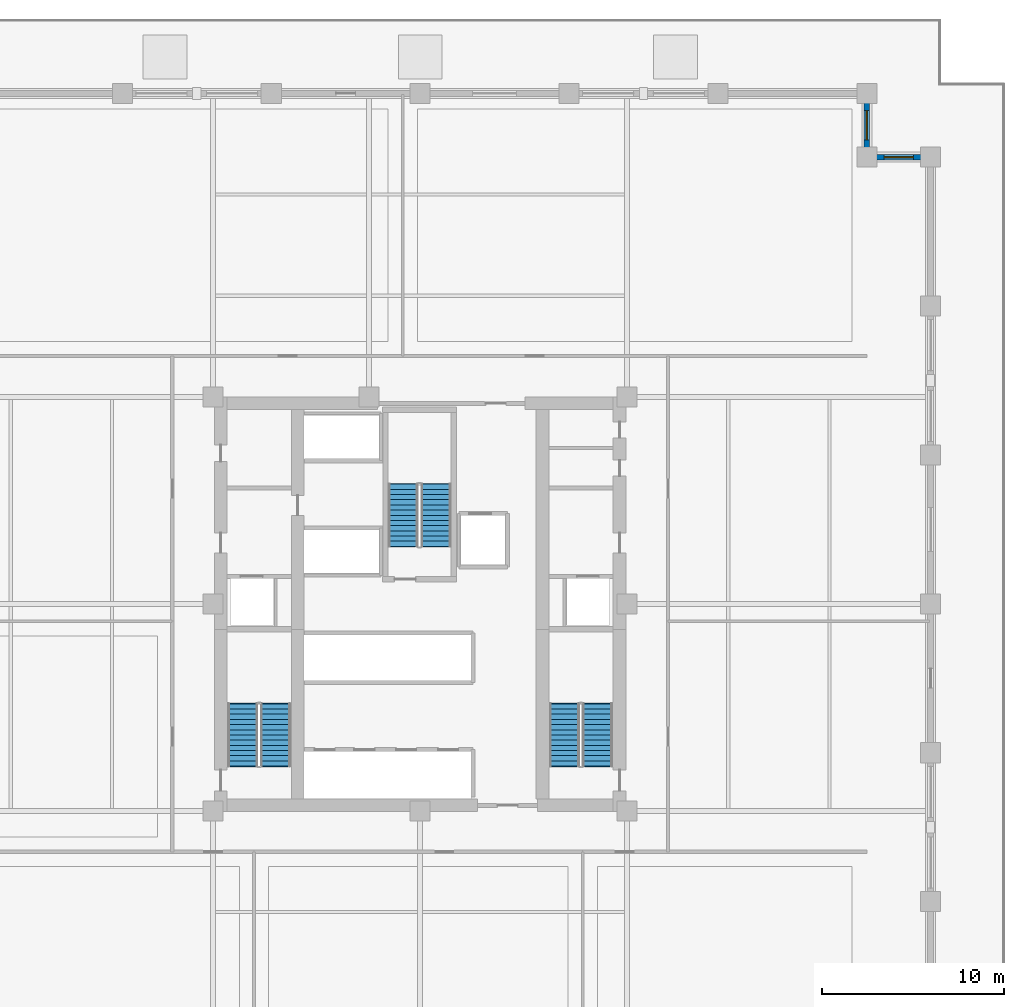
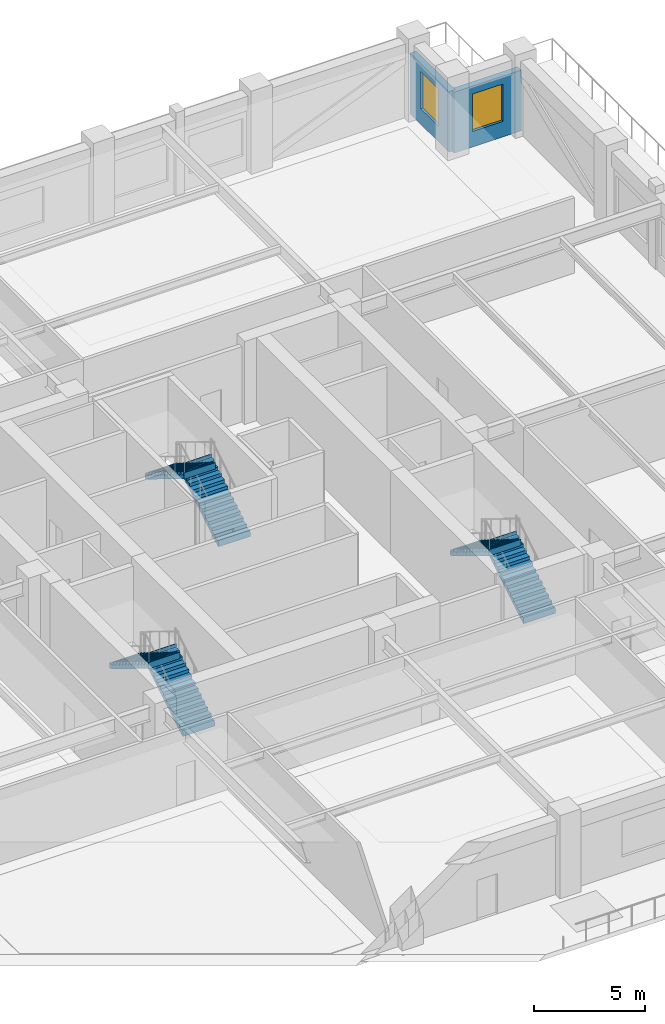
# One storey, part 6 of 13: 6 stair flights, 2 walls, 2 windows, 2 openings, 3 elements without a shape of their own.
"""IFC4 building model written with IfcOpenShell, lengths in metres."""

from ifc_helpers import new_model, si_unit, direction, frame, frame_2d, origin, place, context, subcontext, project, spatial, polyline, rectangle, outline, extrude, material, layer, layer_set, type_object, element, fill, aggregate, save


model = new_model("IFC4")

# Units and contexts
model_context = context("Model", 3, precision=1e-05, world=origin(), true_north=direction((0.0, 1.0)))
body_context = subcontext(model_context, "Body", "Model", "MODEL_VIEW")
ifc_project = project(units=[si_unit("LENGTHUNIT", "METRE"), si_unit("AREAUNIT", "SQUARE_METRE"), si_unit("VOLUMEUNIT", "CUBIC_METRE"), si_unit("PLANEANGLEUNIT", "RADIAN"), si_unit("MASSUNIT", "GRAM", prefix="KILO")], contexts=[model_context])

# Site, building, storey
site_placement = place(None, origin())
site = spatial("IfcSite", under=ifc_project, at=site_placement, CompositionType="ELEMENT")
building_placement = place(site_placement, origin())
building = spatial("IfcBuilding", under=site, at=building_placement, Name="Nhamokura Convention Tower", CompositionType="ELEMENT")
storey_placement = place(building_placement, frame((0.0, 0.0, 34.300048828125)))
storey = spatial("IfcBuildingStorey", under=building, at=storey_placement, Name="L06", CompositionType="ELEMENT", Elevation=34.300048828125)

# Wall, opening, window
ifc_material_1 = material(Name="Bronze-pigmented precast concrete C45/55", Category="concrete")
ifc_layer = layer(ifc_material_1, 0.320068359375)
ifc_layer_set = layer_set([ifc_layer], Name="BronzePrecastSpandrel_320")
wall_type = type_object("IfcWallType", Name="BronzePrecastSpandrel_320", PredefinedType="USERDEFINED", material=ifc_layer_set)
wall_1_placement = place(storey_placement, frame((56.5, 56.5, 0.0), z_axis=(0.0, 0.0, 1.0), x_axis=(1.0, 0.0, 0.0)))
wall_1 = element("IfcWall", 1, at=wall_1_placement, inside=storey, type_object=wall_type, Name="L06 Notched Corner Wall NE1", ObjectType="SPANDREL_WALL", PredefinedType="USERDEFINED", context=body_context, shape_type="SweptSolid", body=[
    extrude(rectangle(XDim=3.5, YDim=0.320068359375, at=frame_2d((1.75, 0.0))), origin(), (0.0, 0.0, 1.0), 3.329833984375),
])
opening_1_placement = place(wall_1_placement, frame((0.949951171875, 0.0, 0.85009765625)))
opening_1 = element("IfcOpeningElement", 2, at=opening_1_placement, cuts=wall_1, Name="Opening W-11", PredefinedType="OPENING", context=body_context, shape_type="SweptSolid", body=[
    extrude(rectangle(XDim=1.60009765625, YDim=2.050048828125, at=frame_2d((0.800048828125, 1.02490234375))), frame((0.0, 0.169921875, 0.0), z_axis=(0.0, -1.0, 0.0), x_axis=(1.0, 0.0, 0.0)), (0.0, 0.0, 1.0), 0.340087890625),
])
ifc_material_2 = material(Name="Solar-control bronze low-E double glass", Category="glass")
window_type = type_object("IfcWindowType", Name="NotchCornerWindow_1600", PartitioningType="SINGLE_PANEL", PredefinedType="WINDOW", material=ifc_material_2)
window_1_placement = place(opening_1_placement, origin())
window_1 = element("IfcWindow", 3, at=window_1_placement, inside=storey, type_object=window_type, Name="L06 Notched Corner Window NE1", OverallHeight=2.050048828125, OverallWidth=1.60009765625, PartitioningType="SINGLE_PANEL", PredefinedType="WINDOW", context=body_context, shape_type="SweptSolid", body=[
    extrude(rectangle(XDim=1.60009765625, YDim=2.050048828125, at=frame_2d((0.800048828125, 1.02490234375))), frame((0.0, 0.030029296875, 0.0), z_axis=(0.0, -1.0, 0.0), x_axis=(1.0, 0.0, 0.0)), (0.0, 0.0, 1.0), 0.06005859375),
])
fill(opening_1, window_1)

wall_2_placement = place(storey_placement, frame((56.5, 60.0, 0.0), z_axis=(0.0, 0.0, 1.0), x_axis=(0.0, -1.0, 0.0)))
wall_2 = element("IfcWall", 4, at=wall_2_placement, inside=storey, type_object=wall_type, Name="L06 Notched Corner Wall NE2", ObjectType="SPANDREL_WALL", PredefinedType="USERDEFINED", context=body_context, shape_type="SweptSolid", body=[
    extrude(rectangle(XDim=3.5, YDim=0.320068359375, at=frame_2d((1.75, 0.0))), origin(), (0.0, 0.0, 1.0), 3.329833984375),
])
opening_2_placement = place(wall_2_placement, frame((0.949951171875, 0.0, 0.85009765625)))
opening_2 = element("IfcOpeningElement", 5, at=opening_2_placement, cuts=wall_2, Name="Opening W-11", PredefinedType="OPENING", context=body_context, shape_type="SweptSolid", body=[
    extrude(rectangle(XDim=1.60009765625, YDim=2.050048828125, at=frame_2d((0.800048828125, 1.02490234375))), frame((0.0, 0.169921875, 0.0), z_axis=(0.0, -1.0, 0.0), x_axis=(1.0, 0.0, 0.0)), (0.0, 0.0, 1.0), 0.340087890625),
])
window_2_placement = place(opening_2_placement, origin())
window_2 = element("IfcWindow", 6, at=window_2_placement, inside=storey, type_object=window_type, Name="L06 Notched Corner Window NE2", OverallHeight=2.050048828125, OverallWidth=1.60009765625, PartitioningType="SINGLE_PANEL", PredefinedType="WINDOW", context=body_context, shape_type="SweptSolid", body=[
    extrude(rectangle(XDim=1.60009765625, YDim=2.050048828125, at=frame_2d((0.800048828125, 1.02490234375))), frame((0.0, 0.030029296875, 0.0), z_axis=(0.0, -1.0, 0.0), x_axis=(1.0, 0.0, 0.0)), (0.0, 0.0, 1.0), 0.06005859375),
])
fill(opening_2, window_2)

# Stair, stair flights
ifc_material_3 = material(Name="Concrete C40/50", Category="concrete")
stair_type = type_object("IfcStairType", Name="TowerCoreStair_1650", PredefinedType="HALF_TURN_STAIR", material=ifc_material_3)
stair_1_placement = place(storey_placement, origin())
stair_1 = element("IfcStair", 7, at=stair_1_placement, inside=storey, type_object=stair_type, Name="L06 West Core Smokeproof Stair ST-01", PredefinedType="HALF_TURN_STAIR")
ifc_material_4 = material(Name="Concrete C40/50", Category="concrete")
stair_flight_type = type_object("IfcStairFlightType", Name="TowerCoreStair_1650_Flight", PredefinedType="STRAIGHT", material=ifc_material_4)
stair_flight_1_placement = place(storey_placement, frame((24.074951171875, 23.10009765625, 0.0), z_axis=(0.0, 0.0, 1.0), x_axis=(0.0, 1.0, 0.0)))
stair_flight_1 = element("IfcStairFlight", 8, at=stair_flight_1_placement, type_object=stair_flight_type, Name="ST-01 flight 1", NumberOfRisers=13, NumberOfTreads=12, PredefinedType="STRAIGHT", RiserHeight=0.175, TreadLength=0.285, context=body_context, shape_type="SweptSolid", body=[
    extrude(outline(polyline([(-0.0419921875, 0.0), (0.0, 0.175048828125), (0.284912109375, 0.175048828125), (0.284912109375, 0.35009765625), (0.570068359375, 0.35009765625), (0.570068359375, 0.52490234375), (0.85498046875, 0.52490234375), (0.85498046875, 0.699951171875), (1.139892578125, 0.699951171875), (1.139892578125, 0.875), (1.425048828125, 0.875), (1.425048828125, 1.050048828125), (1.7099609375, 1.050048828125), (1.7099609375, 1.22509765625), (1.9951171875, 1.22509765625), (1.9951171875, 1.39990234375), (2.280029296875, 1.39990234375), (2.280029296875, 1.574951171875), (2.56494140625, 1.574951171875), (2.56494140625, 1.75), (2.85009765625, 1.75), (2.85009765625, 1.925048828125), (3.135009765625, 1.925048828125), (3.135009765625, 2.10009765625), (3.419921875, 2.10009765625), (3.419921875, 2.27490234375), (3.4619140625, 2.27490234375), (3.4619140625, 1.924072265625), (3.419921875, 1.924072265625), (0.286376953125, 0.0), (0.02001953125, -0.1298828125), (-0.0419921875, -0.1298828125), (-0.0419921875, 0.0)])), frame((0.0, 0.824951171875, 0.0), z_axis=(0.0, -1.0, 0.0), x_axis=(1.0, 0.0, 0.0)), (0.0, 0.0, 1.0), 1.64990234375),
])
stair_flight_2_placement = place(storey_placement, frame((22.27490234375, 26.52001953125, 2.27490234375), z_axis=(0.0, 0.0, 1.0), x_axis=(0.0, -1.0, 0.0)))
stair_flight_2 = element("IfcStairFlight", 9, at=stair_flight_2_placement, type_object=stair_flight_type, Name="ST-01 flight 2", NumberOfRisers=13, NumberOfTreads=12, PredefinedType="STRAIGHT", RiserHeight=0.175, TreadLength=0.285, context=body_context, shape_type="SweptSolid", body=[
    extrude(outline(polyline([(-0.0419921875, 0.0), (0.0, 0.175048828125), (0.284912109375, 0.175048828125), (0.284912109375, 0.35009765625), (0.570068359375, 0.35009765625), (0.570068359375, 0.52490234375), (0.85498046875, 0.52490234375), (0.85498046875, 0.699951171875), (1.139892578125, 0.699951171875), (1.139892578125, 0.875), (1.425048828125, 0.875), (1.425048828125, 1.050048828125), (1.7099609375, 1.050048828125), (1.7099609375, 1.22509765625), (1.9951171875, 1.22509765625), (1.9951171875, 1.39990234375), (2.280029296875, 1.39990234375), (2.280029296875, 1.574951171875), (2.56494140625, 1.574951171875), (2.56494140625, 1.75), (2.85009765625, 1.75), (2.85009765625, 1.925048828125), (3.135009765625, 1.925048828125), (3.135009765625, 2.10009765625), (3.419921875, 2.10009765625), (3.419921875, 2.27490234375), (3.4619140625, 2.27490234375), (3.4619140625, 1.924072265625), (3.419921875, 1.924072265625), (0.286376953125, 0.0), (0.02001953125, -0.1298828125), (-0.0419921875, -0.1298828125), (-0.0419921875, 0.0)])), frame((0.0, 0.824951171875, 0.0), z_axis=(0.0, -1.0, 0.0), x_axis=(1.0, 0.0, 0.0)), (0.0, 0.0, 1.0), 1.64990234375),
])
aggregate(stair_1, [stair_flight_1, stair_flight_2])

stair_2_placement = place(storey_placement, origin())
stair_2 = element("IfcStair", 10, at=stair_2_placement, inside=storey, type_object=stair_type, Name="L06 East Core Smokeproof Stair ST-02", PredefinedType="HALF_TURN_STAIR")
stair_flight_3_placement = place(storey_placement, frame((41.72509765625, 23.10009765625, 0.0), z_axis=(0.0, 0.0, 1.0), x_axis=(0.0, 1.0, 0.0)))
stair_flight_3 = element("IfcStairFlight", 11, at=stair_flight_3_placement, type_object=stair_flight_type, Name="ST-02 flight 1", NumberOfRisers=13, NumberOfTreads=12, PredefinedType="STRAIGHT", RiserHeight=0.175, TreadLength=0.285, context=body_context, shape_type="SweptSolid", body=[
    extrude(outline(polyline([(-0.0419921875, 0.0), (0.0, 0.175048828125), (0.284912109375, 0.175048828125), (0.284912109375, 0.35009765625), (0.570068359375, 0.35009765625), (0.570068359375, 0.52490234375), (0.85498046875, 0.52490234375), (0.85498046875, 0.699951171875), (1.139892578125, 0.699951171875), (1.139892578125, 0.875), (1.425048828125, 0.875), (1.425048828125, 1.050048828125), (1.7099609375, 1.050048828125), (1.7099609375, 1.22509765625), (1.9951171875, 1.22509765625), (1.9951171875, 1.39990234375), (2.280029296875, 1.39990234375), (2.280029296875, 1.574951171875), (2.56494140625, 1.574951171875), (2.56494140625, 1.75), (2.85009765625, 1.75), (2.85009765625, 1.925048828125), (3.135009765625, 1.925048828125), (3.135009765625, 2.10009765625), (3.419921875, 2.10009765625), (3.419921875, 2.27490234375), (3.4619140625, 2.27490234375), (3.4619140625, 1.924072265625), (3.419921875, 1.924072265625), (0.286376953125, 0.0), (0.02001953125, -0.1298828125), (-0.0419921875, -0.1298828125), (-0.0419921875, 0.0)])), frame((0.0, 0.824951171875, 0.0), z_axis=(0.0, -1.0, 0.0), x_axis=(1.0, 0.0, 0.0)), (0.0, 0.0, 1.0), 1.64990234375),
])
stair_flight_4_placement = place(storey_placement, frame((39.925048828125, 26.52001953125, 2.27490234375), z_axis=(0.0, 0.0, 1.0), x_axis=(0.0, -1.0, 0.0)))
stair_flight_4 = element("IfcStairFlight", 12, at=stair_flight_4_placement, type_object=stair_flight_type, Name="ST-02 flight 2", NumberOfRisers=13, NumberOfTreads=12, PredefinedType="STRAIGHT", RiserHeight=0.175, TreadLength=0.285, context=body_context, shape_type="SweptSolid", body=[
    extrude(outline(polyline([(-0.0419921875, 0.0), (0.0, 0.175048828125), (0.284912109375, 0.175048828125), (0.284912109375, 0.35009765625), (0.570068359375, 0.35009765625), (0.570068359375, 0.52490234375), (0.85498046875, 0.52490234375), (0.85498046875, 0.699951171875), (1.139892578125, 0.699951171875), (1.139892578125, 0.875), (1.425048828125, 0.875), (1.425048828125, 1.050048828125), (1.7099609375, 1.050048828125), (1.7099609375, 1.22509765625), (1.9951171875, 1.22509765625), (1.9951171875, 1.39990234375), (2.280029296875, 1.39990234375), (2.280029296875, 1.574951171875), (2.56494140625, 1.574951171875), (2.56494140625, 1.75), (2.85009765625, 1.75), (2.85009765625, 1.925048828125), (3.135009765625, 1.925048828125), (3.135009765625, 2.10009765625), (3.419921875, 2.10009765625), (3.419921875, 2.27490234375), (3.4619140625, 2.27490234375), (3.4619140625, 1.924072265625), (3.419921875, 1.924072265625), (0.286376953125, 0.0), (0.02001953125, -0.1298828125), (-0.0419921875, -0.1298828125), (-0.0419921875, 0.0)])), frame((0.0, 0.824951171875, 0.0), z_axis=(0.0, -1.0, 0.0), x_axis=(1.0, 0.0, 0.0)), (0.0, 0.0, 1.0), 1.64990234375),
])
aggregate(stair_2, [stair_flight_3, stair_flight_4])

stair_3_placement = place(storey_placement, origin())
stair_3 = element("IfcStair", 13, at=stair_3_placement, inside=storey, type_object=stair_type, Name="L06 North Core Smokeproof Stair ST-03", PredefinedType="HALF_TURN_STAIR")
stair_flight_5_placement = place(storey_placement, frame((32.875, 35.14990234375, 0.0), z_axis=(0.0, 0.0, 1.0), x_axis=(0.0, 1.0, 0.0)))
stair_flight_5 = element("IfcStairFlight", 14, at=stair_flight_5_placement, type_object=stair_flight_type, Name="ST-03 flight 1", NumberOfRisers=13, NumberOfTreads=12, PredefinedType="STRAIGHT", RiserHeight=0.175, TreadLength=0.285, context=body_context, shape_type="SweptSolid", body=[
    extrude(outline(polyline([(-0.0419921875, 0.0), (0.0, 0.175048828125), (0.284912109375, 0.175048828125), (0.284912109375, 0.35009765625), (0.570068359375, 0.35009765625), (0.570068359375, 0.52490234375), (0.85498046875, 0.52490234375), (0.85498046875, 0.699951171875), (1.139892578125, 0.699951171875), (1.139892578125, 0.875), (1.425048828125, 0.875), (1.425048828125, 1.050048828125), (1.7099609375, 1.050048828125), (1.7099609375, 1.22509765625), (1.9951171875, 1.22509765625), (1.9951171875, 1.39990234375), (2.280029296875, 1.39990234375), (2.280029296875, 1.574951171875), (2.56494140625, 1.574951171875), (2.56494140625, 1.75), (2.85009765625, 1.75), (2.85009765625, 1.925048828125), (3.135009765625, 1.925048828125), (3.135009765625, 2.10009765625), (3.419921875, 2.10009765625), (3.419921875, 2.27490234375), (3.4619140625, 2.27490234375), (3.4619140625, 1.924072265625), (3.419921875, 1.924072265625), (0.286376953125, 0.0), (0.02001953125, -0.1298828125), (-0.0419921875, -0.1298828125), (-0.0419921875, 0.0)])), frame((0.0, 0.824951171875, 0.0), z_axis=(0.0, -1.0, 0.0), x_axis=(1.0, 0.0, 0.0)), (0.0, 0.0, 1.0), 1.64990234375),
])
stair_flight_6_placement = place(storey_placement, frame((31.074951171875, 38.570068359375, 2.27490234375), z_axis=(0.0, 0.0, 1.0), x_axis=(0.0, -1.0, 0.0)))
stair_flight_6 = element("IfcStairFlight", 15, at=stair_flight_6_placement, type_object=stair_flight_type, Name="ST-03 flight 2", NumberOfRisers=13, NumberOfTreads=12, PredefinedType="STRAIGHT", RiserHeight=0.175, TreadLength=0.285, context=body_context, shape_type="SweptSolid", body=[
    extrude(outline(polyline([(-0.0419921875, 0.0), (0.0, 0.175048828125), (0.284912109375, 0.175048828125), (0.284912109375, 0.35009765625), (0.570068359375, 0.35009765625), (0.570068359375, 0.52490234375), (0.85498046875, 0.52490234375), (0.85498046875, 0.699951171875), (1.139892578125, 0.699951171875), (1.139892578125, 0.875), (1.425048828125, 0.875), (1.425048828125, 1.050048828125), (1.7099609375, 1.050048828125), (1.7099609375, 1.22509765625), (1.9951171875, 1.22509765625), (1.9951171875, 1.39990234375), (2.280029296875, 1.39990234375), (2.280029296875, 1.574951171875), (2.56494140625, 1.574951171875), (2.56494140625, 1.75), (2.85009765625, 1.75), (2.85009765625, 1.925048828125), (3.135009765625, 1.925048828125), (3.135009765625, 2.10009765625), (3.419921875, 2.10009765625), (3.419921875, 2.27490234375), (3.4619140625, 2.27490234375), (3.4619140625, 1.924072265625), (3.419921875, 1.924072265625), (0.286376953125, 0.0), (0.02001953125, -0.1298828125), (-0.0419921875, -0.1298828125), (-0.0419921875, 0.0)])), frame((0.0, 0.824951171875, 0.0), z_axis=(0.0, -1.0, 0.0), x_axis=(1.0, 0.0, 0.0)), (0.0, 0.0, 1.0), 1.64990234375),
])
aggregate(stair_3, [stair_flight_5, stair_flight_6])

save(model, "model.ifc")
